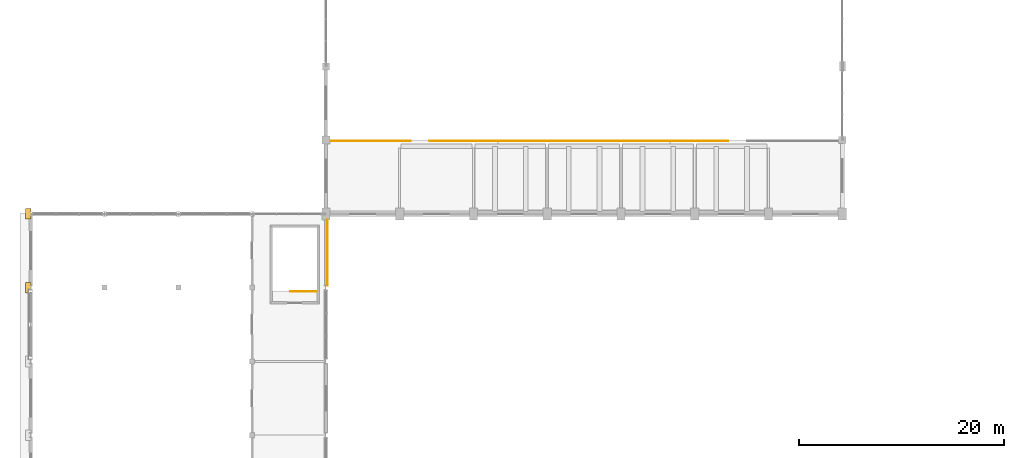
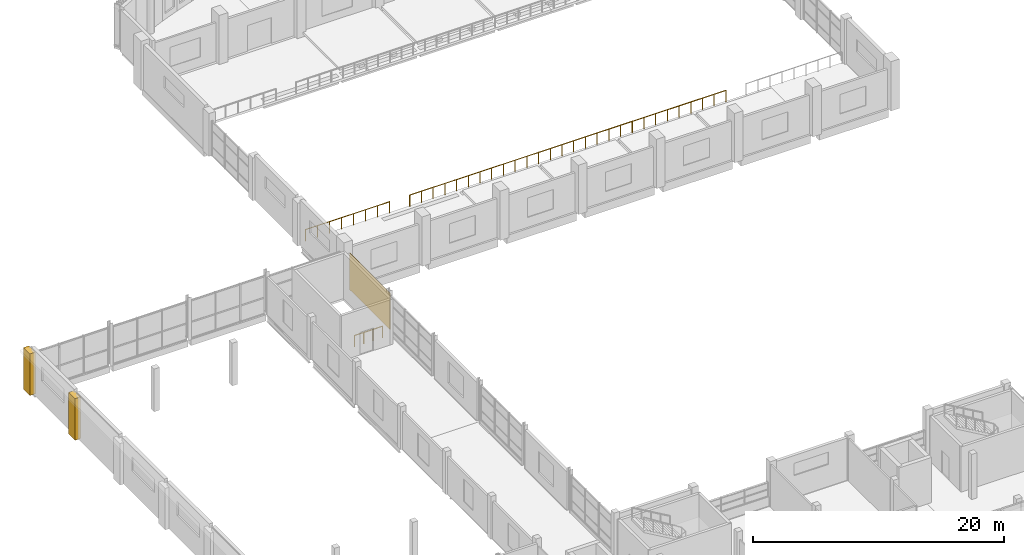
# One storey, part 62 of 71: 5 railings, 3 coverings.
"""IFC4 building model written with IfcOpenShell, lengths in metres."""

import ifcopenshell
import ifcopenshell.guid

model = None  # the IFC model being written
_history = None  # IfcOwnerHistory: only IFC2X3 demands one
_inside = {}  # id of a spatial element -> (the spatial element, [elements in it])
_under = {}  # id of a project, library or spatial element -> (it, [spatial elements below it])
_declared = {}  # id of a project -> (the project, [libraries it declares])
_typed = {}  # id of a type object -> (the type object, [elements of that type])
_made_of = {}  # id of a material, layer set ... -> (it, [elements and type objects made of it])


def new_model(schema):
    """Start an empty IFC model of exactly this schema.

    Asked for "IFC4X3", IfcOpenShell would pick the latest addendum, in which some entities
    have other attributes; the version numbers below select the first issue.
    IFC2X3 requires an IfcOwnerHistory on every rooted entity: one is made here for all.
    """
    global model, _history
    if schema == "IFC4X3":
        model = ifcopenshell.file(schema_version=(4, 3, 0, 0))
    else:
        model = ifcopenshell.file(schema=schema)
    _inside.clear()
    _under.clear()
    _declared.clear()
    _typed.clear()
    _made_of.clear()
    _history = None
    if model.schema == "IFC2X3":
        org = make("IfcOrganization", Name="unknown")
        user = make(
            "IfcPersonAndOrganization",
            ThePerson=make("IfcPerson", FamilyName="unknown"),
            TheOrganization=org,
        )
        app = make(
            "IfcApplication",
            ApplicationDeveloper=org,
            Version="unknown",
            ApplicationFullName="unknown",
            ApplicationIdentifier="unknown",
        )
        _history = make(
            "IfcOwnerHistory",
            OwningUser=user,
            OwningApplication=app,
            ChangeAction="ADDED",
            CreationDate=0,
        )
    return model


def make(cls, **values):
    """One entity of the class cls with the attributes given. An attribute that is None is left unset."""
    return model.create_entity(
        cls, **{name: value for name, value in values.items() if value is not None}
    )


def rooted(cls, **values):
    """An entity with a GlobalId (a new one), such as an element, a storey or a relation."""
    return make(cls, GlobalId=ifcopenshell.guid.new(), OwnerHistory=_history, **values)


def si_unit(unit_type, name, prefix=None):
    """IfcSIUnit, for example si_unit("LENGTHUNIT", "METRE", prefix="MILLI")."""
    return make("IfcSIUnit", UnitType=unit_type, Prefix=prefix, Name=name)


def assignment(units):
    """IfcUnitAssignment: the units of a project."""
    return None if units is None else make("IfcUnitAssignment", Units=units)


def point(xyz):
    """IfcCartesianPoint."""
    return None if xyz is None else make("IfcCartesianPoint", Coordinates=xyz)


def direction(xyz):
    """IfcDirection."""
    return None if xyz is None else make("IfcDirection", DirectionRatios=xyz)


def frame(location, z_axis=None, x_axis=None):
    """IfcAxis2Placement3D, a coordinate frame: its origin and axes. An axis left out is left unset."""
    return make(
        "IfcAxis2Placement3D",
        Location=point(location),
        Axis=direction(z_axis),
        RefDirection=direction(x_axis),
    )


def frame_2d(location, x_axis=None):
    """IfcAxis2Placement2D, a coordinate frame in the plane: its origin and x axis."""
    return make(
        "IfcAxis2Placement2D", Location=point(location), RefDirection=direction(x_axis)
    )


def origin():
    """The frame at (0, 0, 0) with its axes left unset."""
    return frame((0.0, 0.0, 0.0))


def origin_2d():
    """The frame at (0, 0) in the plane with its x axis left unset."""
    return frame_2d((0.0, 0.0))


def place(relative_to, where):
    """IfcLocalPlacement: puts the frame where relative to a parent placement (None: the world)."""
    return make(
        "IfcLocalPlacement", PlacementRelTo=relative_to, RelativePlacement=where
    )


def context(
    kind, dimensions, precision=None, world=None, true_north=None, identifier=None
):
    """IfcGeometricRepresentationContext, for example the 3D "Model" context."""
    return make(
        "IfcGeometricRepresentationContext",
        ContextIdentifier=identifier,
        ContextType=kind,
        CoordinateSpaceDimension=dimensions,
        Precision=precision,
        WorldCoordinateSystem=world,
        TrueNorth=true_north,
    )


def subcontext(parent, identifier, kind, view, scale=None):
    """IfcGeometricRepresentationSubContext, for example "Body" below "Model"."""
    return make(
        "IfcGeometricRepresentationSubContext",
        ContextIdentifier=identifier,
        ContextType=kind,
        ParentContext=parent,
        TargetScale=scale,
        TargetView=view,
    )


def project(units=None, contexts=None):
    """IfcProject with its units and contexts."""
    return rooted(
        "IfcProject",
        Name="project",
        RepresentationContexts=contexts,
        UnitsInContext=assignment(units),
    )


def spatial(cls, under=None, at=None, **own):
    """A site, building, storey or space (cls), placed at a placement, below another one or the project."""
    s = rooted(cls, ObjectPlacement=at, **own)
    if under is not None:
        _under.setdefault(under.id(), (under, []))[1].append(s)
    return s


def polyline(points):
    """IfcPolyline through the points."""
    return make("IfcPolyline", Points=[point(p) for p in points])


def profile(cls, at=None, kind="AREA", **sizes):
    """A parametric profile (cls). Its sizes go by their IFC names, for example OverallWidth=200.0."""
    return make(cls, ProfileType=kind, Position=at, **sizes)


def rectangle(**sizes):
    """IfcRectangleProfileDef."""
    return profile("IfcRectangleProfileDef", **sizes)


def circle(**sizes):
    """IfcCircleProfileDef."""
    return profile("IfcCircleProfileDef", **sizes)


def outline(outer, holes=None, kind="AREA"):
    """IfcArbitraryClosedProfileDef: a profile drawn as a closed curve; with holes, ...WithVoids."""
    if holes is None:
        return make("IfcArbitraryClosedProfileDef", ProfileType=kind, OuterCurve=outer)
    return make(
        "IfcArbitraryProfileDefWithVoids",
        ProfileType=kind,
        OuterCurve=outer,
        InnerCurves=holes,
    )


def extrude(swept, where, along, depth):
    """IfcExtrudedAreaSolid: the profile swept, set in the frame where, extruded along a direction by depth."""
    return make(
        "IfcExtrudedAreaSolid",
        SweptArea=swept,
        Position=where,
        ExtrudedDirection=direction(along),
        Depth=depth,
    )


def shape(context_of_items, identifier, shape_type, items):
    """IfcShapeRepresentation: the items that make up one representation, for example the "Body"."""
    return make(
        "IfcShapeRepresentation",
        ContextOfItems=context_of_items,
        RepresentationIdentifier=identifier,
        RepresentationType=shape_type,
        Items=items,
    )


def material(Name=None, Category=None):
    """IfcMaterial."""
    return make("IfcMaterial", Name=Name, Category=Category)


def layer(
    of_material, thickness, ventilated=None, Name=None, Category=None, Priority=None
):
    """IfcMaterialLayer: one layer of a wall or slab, of a material (None: an air gap)."""
    return make(
        "IfcMaterialLayer",
        Material=of_material,
        LayerThickness=thickness,
        IsVentilated=ventilated,
        Name=Name,
        Category=Category,
        Priority=Priority,
    )


def layer_set(layers, Name=None):
    """IfcMaterialLayerSet."""
    return make("IfcMaterialLayerSet", MaterialLayers=layers, LayerSetName=Name)


def made_of(thing, what):
    """Note that an element or type object is made of a material, layer set ...; save() writes the relation."""
    if what is not None:
        _made_of.setdefault(what.id(), (what, []))[1].append(thing)
    return thing


def type_object(cls, material=None, **own):
    """A type object (cls), such as IfcWallType, which elements share."""
    return made_of(rooted(cls, **own), material)


def element(
    cls,
    number,
    at=None,
    inside=None,
    cuts=None,
    type_object=None,
    material=None,
    context=None,
    identifier="Body",
    shape_type=None,
    held_by="IfcProductDefinitionShape",
    body=None,
    shapes=None,
    **own,
):
    """One element of the class cls, such as IfcWall. Its Tag is "e" and its number.

    at: its placement. inside: the storey or other place that contains it. cuts: it is an
    opening in that element (IfcRelVoidsElement). A single representation is given by context,
    identifier, shape_type and body (its items); several are given by shapes. held_by: the class
    of the entity that holds the representations. save() writes the other relations.
    """
    e = rooted(cls, Tag="e%d" % number, ObjectPlacement=at, **own)
    if body is not None:
        shapes = [shape(context, identifier, shape_type, body)]
    if shapes is not None:
        e.Representation = make(held_by, Representations=shapes)
    if inside is not None:
        _inside.setdefault(inside.id(), (inside, []))[1].append(e)
    if cuts is not None:
        rooted(
            "IfcRelVoidsElement", RelatingBuildingElement=cuts, RelatedOpeningElement=e
        )
    if type_object is not None:
        _typed.setdefault(type_object.id(), (type_object, []))[1].append(e)
    return made_of(e, material)


def aggregate(whole, parts):
    """IfcRelAggregates: a whole, such as a stair, and the parts it consists of."""
    return rooted("IfcRelAggregates", RelatingObject=whole, RelatedObjects=parts)


def save(model, path):
    """Write the relations noted so far, then the file.

    IfcRelAggregates (storeys below a building ...), IfcRelContainedInSpatialStructure (elements
    in a storey), IfcRelDefinesByType, IfcRelAssociatesMaterial and IfcRelDeclares: one each for
    every whole, place, type object, material and project.
    """
    for whole, parts in _under.values():
        aggregate(whole, parts)
    for where, things in _inside.values():
        rooted(
            "IfcRelContainedInSpatialStructure",
            RelatedElements=things,
            RelatingStructure=where,
        )
    for kind, things in _typed.values():
        rooted("IfcRelDefinesByType", RelatedObjects=things, RelatingType=kind)
    for what, things in _made_of.values():
        rooted("IfcRelAssociatesMaterial", RelatedObjects=things, RelatingMaterial=what)
    for by, libraries in _declared.values():
        rooted("IfcRelDeclares", RelatingContext=by, RelatedDefinitions=libraries)
    model.write(path)


model = new_model("IFC4")

# Units and contexts
model_context = context("Model", 3, precision=1e-05, world=origin(), true_north=direction((0.0, 1.0)))
body_context = subcontext(model_context, "Body", "Model", "MODEL_VIEW")
ifc_project = project(units=[si_unit("LENGTHUNIT", "METRE"), si_unit("AREAUNIT", "SQUARE_METRE"), si_unit("VOLUMEUNIT", "CUBIC_METRE"), si_unit("PLANEANGLEUNIT", "RADIAN"), si_unit("MASSUNIT", "GRAM", prefix="KILO")], contexts=[model_context])

# Site, building, storey
site_placement = place(None, origin())
site = spatial("IfcSite", under=ifc_project, at=site_placement, CompositionType="ELEMENT")
building_placement = place(site_placement, origin())
building = spatial("IfcBuilding", under=site, at=building_placement, Name="Sardonyx Promenade Sports Hall", CompositionType="ELEMENT")
storey_placement = place(building_placement, frame((0.0, 0.0, 16.0)))
storey = spatial("IfcBuildingStorey", under=building, at=storey_placement, Name="L03", CompositionType="ELEMENT", Elevation=16.0)

# Coverings
ifc_material_1 = material(Name="Dressed Cape red sandstone ashlar", Category="masonry")
ifc_layer = layer(ifc_material_1, 0.06005859375)
ifc_layer_set = layer_set([ifc_layer], Name="Cov_Cladding_Sandstone")
covering_type = type_object("IfcCoveringType", Name="Cov_Cladding_Sandstone", PredefinedType="CLADDING", material=ifc_layer_set)
covering_1_placement = place(storey_placement, frame((28.965087890625, 71.4150390625, 0.050048828125), z_axis=(0.0, 0.0, 1.0), x_axis=(0.0, -1.0, 0.0)))
element("IfcCovering", 1, at=covering_1_placement, inside=storey, type_object=covering_type, Name="Dressed sandstone ashlar cladding L03 #233", PredefinedType="CLADDING", context=body_context, shape_type="SweptSolid", body=[
    extrude(rectangle(XDim=6.41015625, YDim=0.050048828125, at=frame_2d((3.205078125, 0.0))), origin(), (0.0, 0.0, 1.0), 3.554931640625),
])
covering_2_placement = place(storey_placement, origin())
element("IfcCovering", 2, at=covering_2_placement, inside=storey, type_object=covering_type, Name="West sandstone pier casing L03 #9", PredefinedType="CLADDING", context=body_context, shape_type="SweptSolid", body=[
    extrude(outline(polyline([(-0.5, 64.280029296875), (0.02001953125, 64.280029296875), (0.02001953125, 65.320068359375), (-0.5, 65.320068359375), (-0.5, 64.280029296875)])), origin(), (0.0, 0.0, 1.0), 4.050048828125),
])
covering_3_placement = place(storey_placement, origin())
element("IfcCovering", 3, at=covering_3_placement, inside=storey, type_object=covering_type, Name="West sandstone pier casing L03 #10", PredefinedType="CLADDING", context=body_context, shape_type="SweptSolid", body=[
    extrude(outline(polyline([(-0.5, 71.47998046875), (0.02001953125, 71.47998046875), (0.02001953125, 72.52001953125), (-0.5, 72.52001953125), (-0.5, 71.47998046875)])), origin(), (0.0, 0.0, 1.0), 4.050048828125),
])

# Railings
ifc_material_2 = material(Name="Powder-coated Steel S355JR", Category="steel")
railing_type = type_object("IfcRailingType", Name="Rail_Int_Guard_1100", PredefinedType="GUARDRAIL", material=ifc_material_2)
railing_1_placement = place(storey_placement, frame((27.905029296875, 64.409912109375, 0.0)))
element("IfcRailing", 4, at=railing_1_placement, inside=storey, type_object=railing_type, Name="Stair floor-edge guard ST7 L03", PredefinedType="GUARDRAIL", context=body_context, shape_type="SweptSolid", body=[
    extrude(circle(Radius=0.02392578125, at=origin_2d()), frame((0.0, 0.0, 1.09619140625), z_axis=(-1.0, 0.0, 0.0), x_axis=(0.0, -1.0, 0.0)), (0.0, 0.0, 1.0), 2.570068359375),
    extrude(circle(Radius=0.02392578125, at=origin_2d()), frame((-2.570068359375, 0.0, 1.09619140625), z_axis=(0.0, -1.0, 0.0), x_axis=(1.0, 0.0, 0.0)), (0.0, 0.0, 1.0), 0.010009765625),
    extrude(circle(Radius=0.02099609375, at=origin_2d()), origin(), (0.0, 0.0, 1.0), 1.072021484375),
    extrude(circle(Radius=0.02099609375, at=origin_2d()), frame((-0.856689453125, 0.0, 0.0)), (0.0, 0.0, 1.0), 1.072021484375),
    extrude(circle(Radius=0.02099609375, at=origin_2d()), frame((-1.71337890625, 0.0, 0.0)), (0.0, 0.0, 1.0), 1.072021484375),
    extrude(circle(Radius=0.02099609375, at=origin_2d()), frame((-2.570068359375, 0.0, 0.0)), (0.0, 0.0, 1.0), 1.072021484375),
    extrude(circle(Radius=0.02099609375, at=origin_2d()), frame((-2.570068359375, -0.010009765625, 0.0)), (0.0, 0.0, 1.0), 1.072021484375),
])
for number, where, name in (
    (5, (68.070068359375, 79.1298828125, 0.0), "Deck-edge guardrail GR02 L03 #63"),
    (6, (58.356689453125, 79.1298828125, 0.0), "Deck-edge guardrail GR02 L03 #64"),
    (7, (48.643310546875, 79.1298828125, 0.0), "Deck-edge guardrail GR02 L03 #65"),
):
    element("IfcRailing", number, at=place(storey_placement, frame(where)), inside=storey, type_object=railing_type, Name=name, PredefinedType="GUARDRAIL", context=body_context, shape_type="SweptSolid", body=[
        extrude(circle(Radius=0.02392578125, at=origin_2d()), frame((0.0, 0.0, 1.09619140625), z_axis=(-1.0, 0.0, 0.0), x_axis=(0.0, -1.0, 0.0)), (0.0, 0.0, 1.0), 9.71337890625),
        extrude(circle(Radius=0.02099609375, at=origin_2d()), origin(), (0.0, 0.0, 1.0), 1.072021484375),
        extrude(circle(Radius=0.02099609375, at=origin_2d()), frame((-1.079345703125, 0.0, 0.0)), (0.0, 0.0, 1.0), 1.072021484375),
        extrude(circle(Radius=0.02099609375, at=origin_2d()), frame((-2.158447265625, 0.0, 0.0)), (0.0, 0.0, 1.0), 1.072021484375),
        extrude(circle(Radius=0.02099609375, at=origin_2d()), frame((-3.23779296875, 0.0, 0.0)), (0.0, 0.0, 1.0), 1.072021484375),
        extrude(circle(Radius=0.02099609375, at=origin_2d()), frame((-4.317138671875, 0.0, 0.0)), (0.0, 0.0, 1.0), 1.072021484375),
        extrude(circle(Radius=0.02099609375, at=origin_2d()), frame((-5.396240234375, 0.0, 0.0)), (0.0, 0.0, 1.0), 1.072021484375),
        extrude(circle(Radius=0.02099609375, at=origin_2d()), frame((-6.4755859375, 0.0, 0.0)), (0.0, 0.0, 1.0), 1.072021484375),
        extrude(circle(Radius=0.02099609375, at=origin_2d()), frame((-7.554931640625, 0.0, 0.0)), (0.0, 0.0, 1.0), 1.072021484375),
        extrude(circle(Radius=0.02099609375, at=origin_2d()), frame((-8.634033203125, 0.0, 0.0)), (0.0, 0.0, 1.0), 1.072021484375),
        extrude(circle(Radius=0.02099609375, at=origin_2d()), frame((-9.71337890625, 0.0, 0.0)), (0.0, 0.0, 1.0), 1.072021484375),
    ])
railing_2_placement = place(storey_placement, frame((37.070068359375, 79.1298828125, 0.0)))
element("IfcRailing", 8, at=railing_2_placement, inside=storey, type_object=railing_type, Name="Deck-edge guardrail GR02 L03 #66", PredefinedType="GUARDRAIL", context=body_context, shape_type="SweptSolid", body=[
    extrude(circle(Radius=0.02392578125, at=origin_2d()), frame((0.0, 0.0, 1.09619140625), z_axis=(-1.0, 0.0, 0.0), x_axis=(0.0, -1.0, 0.0)), (0.0, 0.0, 1.0), 7.77001953125),
    extrude(circle(Radius=0.02099609375, at=origin_2d()), origin(), (0.0, 0.0, 1.0), 1.072021484375),
    extrude(circle(Radius=0.02099609375, at=origin_2d()), frame((-1.110107421875, 0.0, 0.0)), (0.0, 0.0, 1.0), 1.072021484375),
    extrude(circle(Radius=0.02099609375, at=origin_2d()), frame((-2.219970703125, 0.0, 0.0)), (0.0, 0.0, 1.0), 1.072021484375),
    extrude(circle(Radius=0.02099609375, at=origin_2d()), frame((-3.330078125, 0.0, 0.0)), (0.0, 0.0, 1.0), 1.072021484375),
    extrude(circle(Radius=0.02099609375, at=origin_2d()), frame((-4.43994140625, 0.0, 0.0)), (0.0, 0.0, 1.0), 1.072021484375),
    extrude(circle(Radius=0.02099609375, at=origin_2d()), frame((-5.550048828125, 0.0, 0.0)), (0.0, 0.0, 1.0), 1.072021484375),
    extrude(circle(Radius=0.02099609375, at=origin_2d()), frame((-6.659912109375, 0.0, 0.0)), (0.0, 0.0, 1.0), 1.072021484375),
    extrude(circle(Radius=0.02099609375, at=origin_2d()), frame((-7.77001953125, 0.0, 0.0)), (0.0, 0.0, 1.0), 1.072021484375),
])

save(model, "model.ifc")
